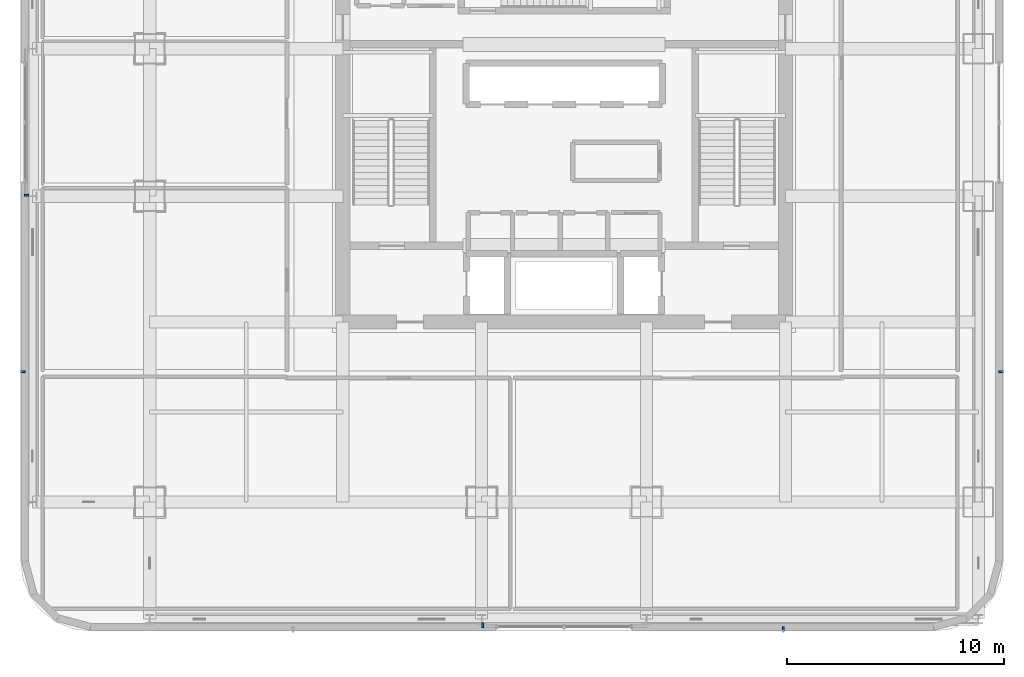
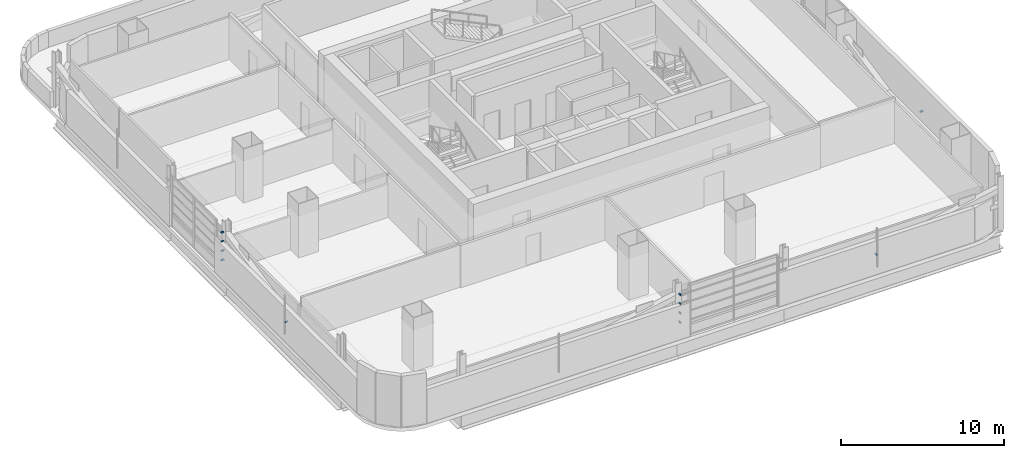
# One storey, part 14 of 29: 11 discrete accessories.
"""IFC4 building model written with IfcOpenShell, lengths in metres."""

from ifc_helpers import new_model, si_unit, direction, frame, origin, origin_2d, place, context, subcontext, project, spatial, rectangle, extrude, material, type_object, element, save


model = new_model("IFC4")

# Units and contexts
model_context = context("Model", 3, precision=1e-05, world=origin(), true_north=direction((0.0, 1.0)))
body_context = subcontext(model_context, "Body", "Model", "MODEL_VIEW")
ifc_project = project(units=[si_unit("LENGTHUNIT", "METRE"), si_unit("AREAUNIT", "SQUARE_METRE"), si_unit("VOLUMEUNIT", "CUBIC_METRE"), si_unit("PLANEANGLEUNIT", "RADIAN"), si_unit("MASSUNIT", "GRAM", prefix="KILO")], contexts=[model_context])

# Site, building, storey
site_placement = place(None, origin())
site = spatial("IfcSite", under=ifc_project, at=site_placement, CompositionType="ELEMENT")
building_placement = place(site_placement, origin())
building = spatial("IfcBuilding", under=site, at=building_placement, Name="Punatoya Terracotta Tower", CompositionType="ELEMENT")
storey_placement = place(building_placement, frame((0.0, 0.0, 172.199951171875)))
storey = spatial("IfcBuildingStorey", under=building, at=storey_placement, Name="L40", CompositionType="ELEMENT", Elevation=172.199951171875)

# Discrete accessories
ifc_material = material(Name="Steel S355", Category="steel")
discrete_accessory_type = type_object("IfcDiscreteAccessoryType", Name="ACC-BRK-220", PredefinedType="BRACKET", material=ifc_material)
for number, where, z_axis, x_axis, name in (
    (1, (10.093505859375, -23.35009765625, 1.449951171875), (0.0, 0.0, 1.0), (1.0, 0.0, 0.0), "L40 Jali Fin Support Bracket S2"),
    (2, (20.14990234375, -11.493408203125, 1.449951171875), (0.0, 0.0, 1.0), (0.0, 1.0, 0.0), "L40 Jali Fin Support Bracket E1"),
    (3, (-24.949951171875, -11.493408203125, 1.449951171875), (0.0, 0.0, 1.0), (0.0, -1.0, 0.0), "L40 Jali Fin Support Bracket W2"),
    (4, (-3.75, -23.1826171875, 1.10009765625), (0.0, 0.0, 1.0), (1.0, 0.0, 0.0), "L40 Baguette Louvre Column Bracket BAG-L40-S-01"),
    (5, (-3.75, -23.1826171875, 1.793212890625), (0.0, 0.0, 1.0), (1.0, 0.0, 0.0), "L40 Baguette Louvre Column Bracket BAG-L40-S-02"),
    (6, (-3.75, -23.1826171875, 2.48681640625), (0.0, 0.0, 1.0), (1.0, 0.0, 0.0), "L40 Baguette Louvre Column Bracket BAG-L40-S-03"),
    (7, (-3.75, -23.1826171875, 3.179931640625), (0.0, 0.0, 1.0), (1.0, 0.0, 0.0), "L40 Baguette Louvre Column Bracket BAG-L40-S-04"),
    (8, (-24.782470703125, -3.35009765625, 1.10009765625), (0.0, 0.0, 1.0), (0.0, 1.0, 0.0), "L40 Baguette Louvre Column Bracket BAG-L40-W-01"),
    (9, (-24.782470703125, -3.35009765625, 1.793212890625), (0.0, 0.0, 1.0), (0.0, 1.0, 0.0), "L40 Baguette Louvre Column Bracket BAG-L40-W-02"),
    (10, (-24.782470703125, -3.35009765625, 2.48681640625), (0.0, 0.0, 1.0), (0.0, 1.0, 0.0), "L40 Baguette Louvre Column Bracket BAG-L40-W-03"),
    (11, (-24.782470703125, -3.35009765625, 3.179931640625), (0.0, 0.0, 1.0), (0.0, 1.0, 0.0), "L40 Baguette Louvre Column Bracket BAG-L40-W-04"),
):
    element("IfcDiscreteAccessory", number, at=place(storey_placement, frame(where, z_axis=z_axis, x_axis=x_axis)), inside=storey, type_object=discrete_accessory_type, Name=name, PredefinedType="BRACKET", context=body_context, shape_type="SweptSolid", body=[
        extrude(rectangle(XDim=0.090087890625, YDim=0.219970703125, at=origin_2d()), origin(), (0.0, 0.0, 1.0), 0.10009765625),
    ])

save(model, "model.ifc")
